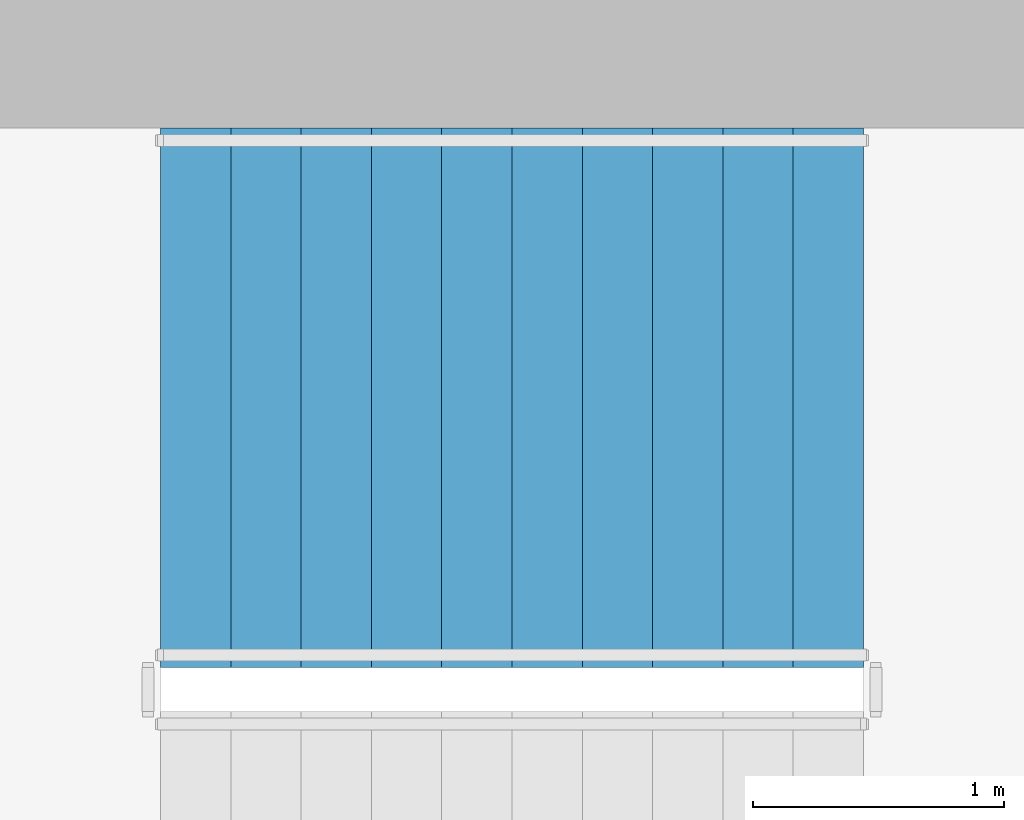
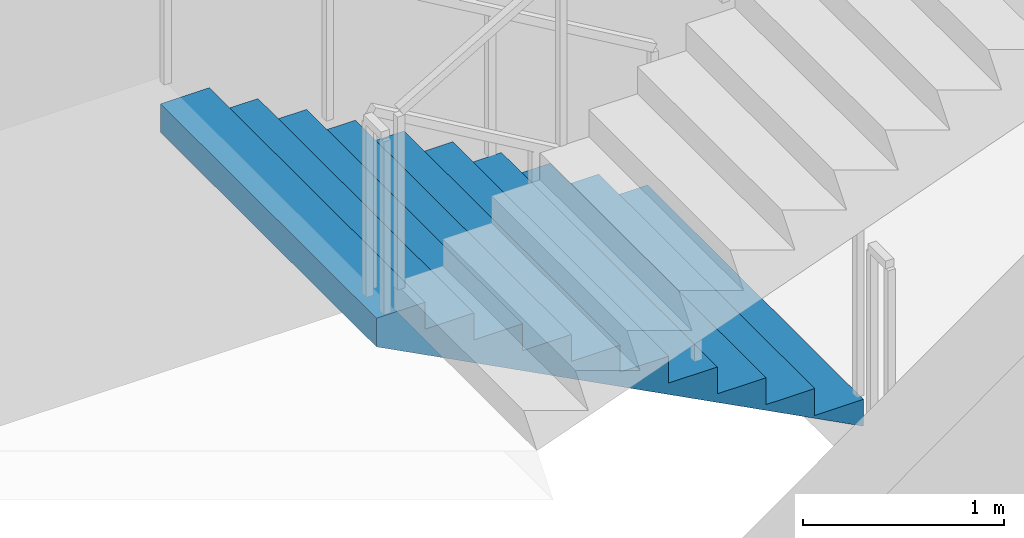
# One storey, part 12 of 20: 1 stair flight, 1 element without a shape of its own.
"""IFC4 building model written with IfcOpenShell, lengths in metres."""

import ifcopenshell
import ifcopenshell.guid

model = None  # the IFC model being written
_history = None  # IfcOwnerHistory: only IFC2X3 demands one
_inside = {}  # id of a spatial element -> (the spatial element, [elements in it])
_under = {}  # id of a project, library or spatial element -> (it, [spatial elements below it])
_declared = {}  # id of a project -> (the project, [libraries it declares])
_typed = {}  # id of a type object -> (the type object, [elements of that type])
_made_of = {}  # id of a material, layer set ... -> (it, [elements and type objects made of it])


def new_model(schema):
    """Start an empty IFC model of exactly this schema.

    Asked for "IFC4X3", IfcOpenShell would pick the latest addendum, in which some entities
    have other attributes; the version numbers below select the first issue.
    IFC2X3 requires an IfcOwnerHistory on every rooted entity: one is made here for all.
    """
    global model, _history
    if schema == "IFC4X3":
        model = ifcopenshell.file(schema_version=(4, 3, 0, 0))
    else:
        model = ifcopenshell.file(schema=schema)
    _inside.clear()
    _under.clear()
    _declared.clear()
    _typed.clear()
    _made_of.clear()
    _history = None
    if model.schema == "IFC2X3":
        org = make("IfcOrganization", Name="unknown")
        user = make(
            "IfcPersonAndOrganization",
            ThePerson=make("IfcPerson", FamilyName="unknown"),
            TheOrganization=org,
        )
        app = make(
            "IfcApplication",
            ApplicationDeveloper=org,
            Version="unknown",
            ApplicationFullName="unknown",
            ApplicationIdentifier="unknown",
        )
        _history = make(
            "IfcOwnerHistory",
            OwningUser=user,
            OwningApplication=app,
            ChangeAction="ADDED",
            CreationDate=0,
        )
    return model


def make(cls, **values):
    """One entity of the class cls with the attributes given. An attribute that is None is left unset."""
    return model.create_entity(
        cls, **{name: value for name, value in values.items() if value is not None}
    )


def rooted(cls, **values):
    """An entity with a GlobalId (a new one), such as an element, a storey or a relation."""
    return make(cls, GlobalId=ifcopenshell.guid.new(), OwnerHistory=_history, **values)


def si_unit(unit_type, name, prefix=None):
    """IfcSIUnit, for example si_unit("LENGTHUNIT", "METRE", prefix="MILLI")."""
    return make("IfcSIUnit", UnitType=unit_type, Prefix=prefix, Name=name)


def assignment(units):
    """IfcUnitAssignment: the units of a project."""
    return None if units is None else make("IfcUnitAssignment", Units=units)


def point(xyz):
    """IfcCartesianPoint."""
    return None if xyz is None else make("IfcCartesianPoint", Coordinates=xyz)


def direction(xyz):
    """IfcDirection."""
    return None if xyz is None else make("IfcDirection", DirectionRatios=xyz)


def frame(location, z_axis=None, x_axis=None):
    """IfcAxis2Placement3D, a coordinate frame: its origin and axes. An axis left out is left unset."""
    return make(
        "IfcAxis2Placement3D",
        Location=point(location),
        Axis=direction(z_axis),
        RefDirection=direction(x_axis),
    )


def origin():
    """The frame at (0, 0, 0) with its axes left unset."""
    return frame((0.0, 0.0, 0.0))


def place(relative_to, where):
    """IfcLocalPlacement: puts the frame where relative to a parent placement (None: the world)."""
    return make(
        "IfcLocalPlacement", PlacementRelTo=relative_to, RelativePlacement=where
    )


def context(
    kind, dimensions, precision=None, world=None, true_north=None, identifier=None
):
    """IfcGeometricRepresentationContext, for example the 3D "Model" context."""
    return make(
        "IfcGeometricRepresentationContext",
        ContextIdentifier=identifier,
        ContextType=kind,
        CoordinateSpaceDimension=dimensions,
        Precision=precision,
        WorldCoordinateSystem=world,
        TrueNorth=true_north,
    )


def subcontext(parent, identifier, kind, view, scale=None):
    """IfcGeometricRepresentationSubContext, for example "Body" below "Model"."""
    return make(
        "IfcGeometricRepresentationSubContext",
        ContextIdentifier=identifier,
        ContextType=kind,
        ParentContext=parent,
        TargetScale=scale,
        TargetView=view,
    )


def project(units=None, contexts=None):
    """IfcProject with its units and contexts."""
    return rooted(
        "IfcProject",
        Name="project",
        RepresentationContexts=contexts,
        UnitsInContext=assignment(units),
    )


def spatial(cls, under=None, at=None, **own):
    """A site, building, storey or space (cls), placed at a placement, below another one or the project."""
    s = rooted(cls, ObjectPlacement=at, **own)
    if under is not None:
        _under.setdefault(under.id(), (under, []))[1].append(s)
    return s


def point_list(points):
    """IfcCartesianPointList2D or 3D."""
    cls = (
        "IfcCartesianPointList2D" if len(points[0]) == 2 else "IfcCartesianPointList3D"
    )
    return make(cls, CoordList=points)


def triangles(points, corners, closed=None, point_numbers=None):
    """IfcTriangulatedFaceSet: each triangle names its three corners, points numbered from 1."""
    return make(
        "IfcTriangulatedFaceSet",
        Coordinates=point_list(points),
        Closed=closed,
        CoordIndex=corners,
        PnIndex=point_numbers,
    )


def shape(context_of_items, identifier, shape_type, items):
    """IfcShapeRepresentation: the items that make up one representation, for example the "Body"."""
    return make(
        "IfcShapeRepresentation",
        ContextOfItems=context_of_items,
        RepresentationIdentifier=identifier,
        RepresentationType=shape_type,
        Items=items,
    )


def material(Name=None, Category=None):
    """IfcMaterial."""
    return make("IfcMaterial", Name=Name, Category=Category)


def made_of(thing, what):
    """Note that an element or type object is made of a material, layer set ...; save() writes the relation."""
    if what is not None:
        _made_of.setdefault(what.id(), (what, []))[1].append(thing)
    return thing


def type_object(cls, material=None, **own):
    """A type object (cls), such as IfcWallType, which elements share."""
    return made_of(rooted(cls, **own), material)


def element(
    cls,
    number,
    at=None,
    inside=None,
    cuts=None,
    type_object=None,
    material=None,
    context=None,
    identifier="Body",
    shape_type=None,
    held_by="IfcProductDefinitionShape",
    body=None,
    shapes=None,
    **own,
):
    """One element of the class cls, such as IfcWall. Its Tag is "e" and its number.

    at: its placement. inside: the storey or other place that contains it. cuts: it is an
    opening in that element (IfcRelVoidsElement). A single representation is given by context,
    identifier, shape_type and body (its items); several are given by shapes. held_by: the class
    of the entity that holds the representations. save() writes the other relations.
    """
    e = rooted(cls, Tag="e%d" % number, ObjectPlacement=at, **own)
    if body is not None:
        shapes = [shape(context, identifier, shape_type, body)]
    if shapes is not None:
        e.Representation = make(held_by, Representations=shapes)
    if inside is not None:
        _inside.setdefault(inside.id(), (inside, []))[1].append(e)
    if cuts is not None:
        rooted(
            "IfcRelVoidsElement", RelatingBuildingElement=cuts, RelatedOpeningElement=e
        )
    if type_object is not None:
        _typed.setdefault(type_object.id(), (type_object, []))[1].append(e)
    return made_of(e, material)


def aggregate(whole, parts):
    """IfcRelAggregates: a whole, such as a stair, and the parts it consists of."""
    return rooted("IfcRelAggregates", RelatingObject=whole, RelatedObjects=parts)


def save(model, path):
    """Write the relations noted so far, then the file.

    IfcRelAggregates (storeys below a building ...), IfcRelContainedInSpatialStructure (elements
    in a storey), IfcRelDefinesByType, IfcRelAssociatesMaterial and IfcRelDeclares: one each for
    every whole, place, type object, material and project.
    """
    for whole, parts in _under.values():
        aggregate(whole, parts)
    for where, things in _inside.values():
        rooted(
            "IfcRelContainedInSpatialStructure",
            RelatedElements=things,
            RelatingStructure=where,
        )
    for kind, things in _typed.values():
        rooted("IfcRelDefinesByType", RelatedObjects=things, RelatingType=kind)
    for what, things in _made_of.values():
        rooted("IfcRelAssociatesMaterial", RelatedObjects=things, RelatingMaterial=what)
    for by, libraries in _declared.values():
        rooted("IfcRelDeclares", RelatingContext=by, RelatedDefinitions=libraries)
    model.write(path)


model = new_model("IFC4")

# Units and contexts
model_context = context("Model", 3, precision=1e-05, world=origin(), true_north=direction((0.0, 1.0)))
body_context = subcontext(model_context, "Body", "Model", "MODEL_VIEW")
ifc_project = project(units=[si_unit("LENGTHUNIT", "METRE"), si_unit("AREAUNIT", "SQUARE_METRE"), si_unit("VOLUMEUNIT", "CUBIC_METRE"), si_unit("PLANEANGLEUNIT", "RADIAN"), si_unit("MASSUNIT", "GRAM", prefix="KILO")], contexts=[model_context])

# Site, building, storey
site_placement = place(None, origin())
site = spatial("IfcSite", under=ifc_project, at=site_placement, CompositionType="ELEMENT")
building_placement = place(site_placement, origin())
building = spatial("IfcBuilding", under=site, at=building_placement, Name="Cypress Arch Tower", CompositionType="ELEMENT")
storey_placement = place(building_placement, frame((0.0, 0.0, 113.10009765625)))
storey = spatial("IfcBuildingStorey", under=building, at=storey_placement, Name="L23", CompositionType="ELEMENT", Elevation=113.10009765625)

# Stair, stair flight
ifc_material_1 = material(Name="Concrete C40/50", Category="concrete")
stair_type = type_object("IfcStairType", Name="Exit stair ES1636-215", PredefinedType="HALF_TURN_STAIR", material=ifc_material_1)
stair_placement = place(storey_placement, origin())
stair = element("IfcStair", 1, at=stair_placement, inside=storey, type_object=stair_type, Name="L23 Exit stair B", PredefinedType="HALF_TURN_STAIR")
ifc_material_2 = material(Name="Concrete C40/50", Category="concrete")
stair_flight_type = type_object("IfcStairFlightType", Name="Exit stair flight ES1636-215", PredefinedType="STRAIGHT", material=ifc_material_2)
stair_flight_placement = place(storey_placement, frame((-22.27490234375, 13.72509765625, 0.0), z_axis=(0.0, 0.0, 1.0), x_axis=(-1.0, 0.0, 0.0)))
stair_flight = element("IfcStairFlight", 2, at=stair_flight_placement, type_object=stair_flight_type, Name="B flight 1", NumberOfRisers=11, NumberOfTreads=10, PredefinedType="STRAIGHT", RiserHeight=0.163636364, TreadLength=0.28, context=body_context, shape_type="Tessellation", body=[
    triangles([(0.0, -1.074951171875, 0.0), (0.000244140625, -1.074951171875, 0.03271484375), (0.00048828125, -1.074951171875, 0.0654296875), (0.00048828125, -1.074951171875, 0.09814453125), (0.000244140625, -1.074951171875, 0.130859375), (0.0, -1.074951171875, 0.16357421875), (0.280029296875, -1.074951171875, 0.16357421875), (0.280029296875, -1.074951171875, 0.327392578125), (0.56005859375, -1.074951171875, 0.327392578125), (0.56005859375, -1.074951171875, 0.490966796875), (0.840087890625, -1.074951171875, 0.490966796875), (0.840087890625, -1.074951171875, 0.654541015625), (1.1201171875, -1.074951171875, 0.654541015625), (1.1201171875, -1.074951171875, 0.818115234375), (1.39990234375, -1.074951171875, 0.818115234375), (1.39990234375, -1.074951171875, 0.98193359375), (1.679931640625, -1.074951171875, 0.98193359375), (1.679931640625, -1.074951171875, 1.1455078125), (1.9599609375, -1.074951171875, 1.1455078125), (1.9599609375, -1.074951171875, 1.30908203125), (2.239990234375, -1.074951171875, 1.30908203125), (2.239990234375, -1.074951171875, 1.47265625), (2.52001953125, -1.074951171875, 1.47265625), (2.52001953125, -1.074951171875, 1.636474609375), (2.800048828125, -1.074951171875, 1.636474609375), (2.7998046875, -1.074951171875, 1.601806640625), (2.799560546875, -1.074951171875, 1.56689453125), (2.799560546875, -1.074951171875, 1.5322265625), (2.7998046875, -1.074951171875, 1.497314453125), (2.800048828125, -1.074951171875, 1.462646484375), (2.800048828125, 1.074951171875, 1.462646484375), (2.7998046875, 1.074951171875, 1.497314453125), (2.799560546875, 1.074951171875, 1.5322265625), (2.799560546875, 1.074951171875, 1.56689453125), (2.7998046875, 1.074951171875, 1.601806640625), (2.800048828125, 1.074951171875, 1.636474609375), (2.52001953125, 1.074951171875, 1.636474609375), (2.52001953125, 1.074951171875, 1.47265625), (2.239990234375, 1.074951171875, 1.47265625), (2.239990234375, 1.074951171875, 1.30908203125), (1.9599609375, 1.074951171875, 1.30908203125), (1.9599609375, 1.074951171875, 1.1455078125), (1.679931640625, 1.074951171875, 1.1455078125), (1.679931640625, 1.074951171875, 0.98193359375), (1.39990234375, 1.074951171875, 0.98193359375), (1.39990234375, 1.074951171875, 0.818115234375), (1.1201171875, 1.074951171875, 0.818115234375), (1.1201171875, 1.074951171875, 0.654541015625), (0.840087890625, 1.074951171875, 0.654541015625), (0.840087890625, 1.074951171875, 0.490966796875), (0.56005859375, 1.074951171875, 0.490966796875), (0.56005859375, 1.074951171875, 0.327392578125), (0.280029296875, 1.074951171875, 0.327392578125), (0.280029296875, 1.074951171875, 0.16357421875), (0.0, 1.074951171875, 0.16357421875), (0.000244140625, 1.074951171875, 0.130859375), (0.00048828125, 1.074951171875, 0.09814453125), (0.00048828125, 1.074951171875, 0.0654296875), (0.000244140625, 1.074951171875, 0.03271484375), (0.0, 1.074951171875, 0.0), (2.7998046875, 0.0, 1.497314453125), (2.800048828125, 0.0, 1.462646484375), (2.799560546875, 0.0, 1.5322265625), (2.799560546875, 0.0, 1.56689453125), (2.7998046875, 0.0, 1.601806640625), (2.800048828125, 0.0, 1.636474609375), (2.52001953125, 0.0, 1.636474609375), (2.52001953125, 0.0, 1.47265625), (2.239990234375, 0.0, 1.47265625), (2.239990234375, 0.0, 1.30908203125), (1.9599609375, 0.0, 1.30908203125), (1.9599609375, 0.0, 1.1455078125), (1.679931640625, 0.0, 1.1455078125), (1.679931640625, 0.0, 0.98193359375), (1.39990234375, 0.0, 0.98193359375), (1.39990234375, 0.0, 0.818115234375), (1.1201171875, 0.0, 0.818115234375), (1.1201171875, 0.0, 0.654541015625), (0.840087890625, 0.0, 0.654541015625), (0.840087890625, 0.0, 0.490966796875), (0.56005859375, 0.0, 0.490966796875), (0.56005859375, 0.0, 0.327392578125), (0.280029296875, 0.0, 0.327392578125), (0.280029296875, 0.0, 0.16357421875), (0.0, 0.0, 0.16357421875), (0.000244140625, 0.0, 0.130859375), (0.00048828125, 0.0, 0.09814453125), (0.00048828125, 0.0, 0.0654296875), (0.000244140625, 0.0, 0.03271484375), (0.0, 0.0, 0.0)], [[30, 29, 24], [29, 28, 24], [28, 27, 24], [27, 26, 24], [26, 25, 24], [17, 16, 15], [9, 8, 7], [15, 14, 13], [23, 22, 21], [21, 20, 19], [19, 18, 17], [13, 12, 11], [11, 10, 9], [6, 5, 7], [5, 4, 7], [4, 3, 7], [3, 2, 7], [2, 1, 7], [30, 24, 23], [30, 23, 21], [30, 21, 19], [30, 19, 17], [30, 17, 15], [30, 15, 13], [30, 13, 11], [30, 11, 9], [30, 9, 7], [30, 7, 1], [31, 37, 32], [32, 37, 33], [33, 37, 34], [34, 37, 35], [35, 37, 36], [44, 46, 45], [52, 54, 53], [46, 48, 47], [38, 40, 39], [40, 42, 41], [42, 44, 43], [48, 50, 49], [50, 52, 51], [55, 54, 56], [56, 54, 57], [57, 54, 58], [58, 54, 59], [59, 54, 60], [31, 38, 37], [31, 40, 38], [31, 42, 40], [31, 44, 42], [31, 46, 44], [31, 48, 46], [31, 50, 48], [31, 52, 50], [31, 54, 52], [31, 60, 54], [62, 61, 29], [62, 29, 30], [31, 32, 61], [31, 61, 62], [61, 63, 28], [61, 28, 29], [32, 33, 63], [32, 63, 61], [63, 64, 27], [63, 27, 28], [33, 34, 64], [33, 64, 63], [64, 65, 26], [64, 26, 27], [34, 35, 65], [34, 65, 64], [65, 66, 25], [65, 25, 26], [35, 36, 66], [35, 66, 65], [66, 67, 24], [66, 24, 25], [36, 37, 67], [36, 67, 66], [67, 68, 23], [67, 23, 24], [37, 38, 68], [37, 68, 67], [68, 69, 22], [68, 22, 23], [38, 39, 69], [38, 69, 68], [69, 70, 21], [69, 21, 22], [39, 40, 70], [39, 70, 69], [70, 71, 20], [70, 20, 21], [40, 41, 71], [40, 71, 70], [71, 72, 19], [71, 19, 20], [41, 42, 72], [41, 72, 71], [72, 73, 18], [72, 18, 19], [42, 43, 73], [42, 73, 72], [73, 74, 17], [73, 17, 18], [43, 44, 74], [43, 74, 73], [74, 75, 16], [74, 16, 17], [44, 45, 75], [44, 75, 74], [75, 76, 15], [75, 15, 16], [45, 46, 76], [45, 76, 75], [76, 77, 14], [76, 14, 15], [46, 47, 77], [46, 77, 76], [77, 78, 13], [77, 13, 14], [47, 48, 78], [47, 78, 77], [78, 79, 12], [78, 12, 13], [48, 49, 79], [48, 79, 78], [79, 80, 11], [79, 11, 12], [49, 50, 80], [49, 80, 79], [80, 81, 10], [80, 10, 11], [50, 51, 81], [50, 81, 80], [81, 82, 9], [81, 9, 10], [51, 52, 82], [51, 82, 81], [82, 83, 8], [82, 8, 9], [52, 53, 83], [52, 83, 82], [83, 84, 7], [83, 7, 8], [53, 54, 84], [53, 84, 83], [84, 85, 6], [84, 6, 7], [54, 55, 85], [54, 85, 84], [85, 86, 5], [85, 5, 6], [55, 56, 86], [55, 86, 85], [86, 87, 4], [86, 4, 5], [56, 57, 87], [56, 87, 86], [87, 88, 3], [87, 3, 4], [57, 58, 88], [57, 88, 87], [88, 89, 2], [88, 2, 3], [58, 59, 89], [58, 89, 88], [89, 90, 1], [89, 1, 2], [59, 60, 90], [59, 90, 89], [90, 62, 30], [90, 30, 1], [60, 31, 62], [60, 62, 90]], closed=True),
])
aggregate(stair, [stair_flight])

save(model, "model.ifc")
